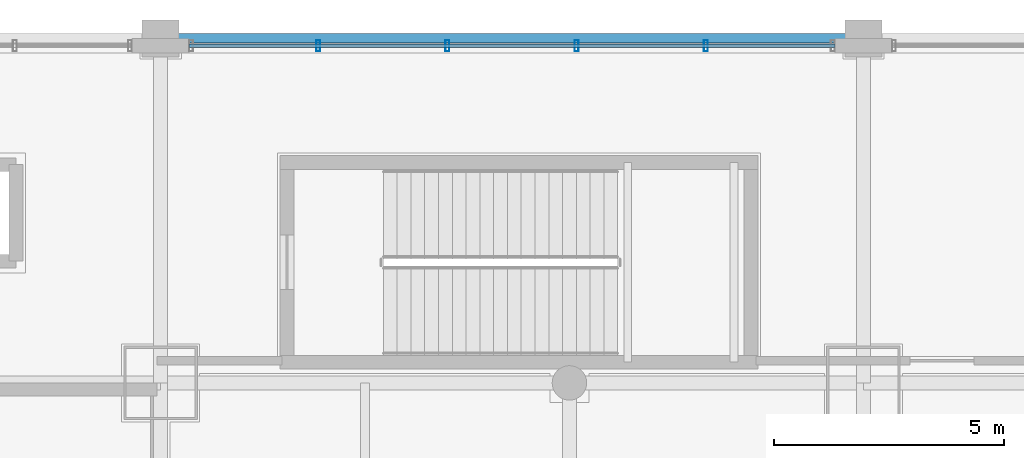
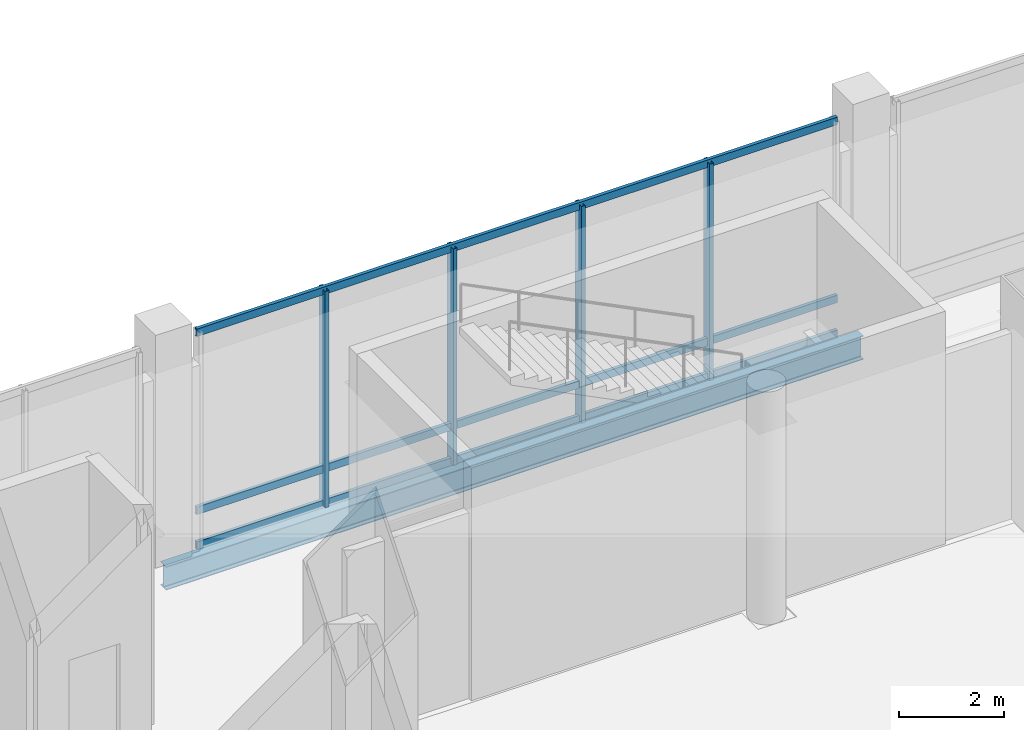
# One storey, part 11 of 35: 7 members, 1 beam, 1 element without a shape of its own.
"""IFC4 building model written with IfcOpenShell, lengths in metres."""

from ifc_helpers import new_model, si_unit, direction, frame, origin, origin_2d, place, context, subcontext, project, spatial, hollow_rectangle, i_section, extrude, material, material_profile, profile_set, type_object, element, aggregate, save


model = new_model("IFC4")

# Units and contexts
model_context = context("Model", 3, precision=1e-05, world=origin(), true_north=direction((0.0, 1.0)))
body_context = subcontext(model_context, "Body", "Model", "MODEL_VIEW")
ifc_project = project(units=[si_unit("LENGTHUNIT", "METRE"), si_unit("AREAUNIT", "SQUARE_METRE"), si_unit("VOLUMEUNIT", "CUBIC_METRE"), si_unit("PLANEANGLEUNIT", "RADIAN"), si_unit("MASSUNIT", "GRAM", prefix="KILO")], contexts=[model_context])

# Site, building, storey
site_placement = place(None, origin())
site = spatial("IfcSite", under=ifc_project, at=site_placement, CompositionType="ELEMENT")
building_placement = place(site_placement, origin())
building = spatial("IfcBuilding", under=site, at=building_placement, Name="Punatoya Terracotta Tower", CompositionType="ELEMENT")
storey_placement = place(building_placement, frame((0.0, 0.0, 16.800048828125)))
storey = spatial("IfcBuildingStorey", under=building, at=storey_placement, Name="L03", CompositionType="ELEMENT", Elevation=16.800048828125)

# Beam
ifc_material_1 = material(Name="Steel S355", Category="steel")
ifc_material_profile_1 = material_profile(ifc_material_1, i_section(OverallWidth=0.2099609375, OverallDepth=0.550048828125, WebThickness=0.010986328125, FlangeThickness=0.01708984375, FilletRadius=0.01806640625, at=origin_2d()))
ifc_profile_set_1 = profile_set([ifc_material_profile_1], Name="Steel S355")
beam_type = type_object("IfcBeamType", Name="BM-SPN-550", PredefinedType="SPANDREL", material=ifc_profile_set_1)
beam_placement = place(storey_placement, frame((-19.10009765625, 25.0, -0.554931640625), z_axis=(1.0, 0.0, 0.0), x_axis=(0.0, 1.0, 0.0)))
element("IfcBeam", 1, at=beam_placement, inside=storey, type_object=beam_type, Name="BM-L03-MIDH-1", PredefinedType="SPANDREL", context=body_context, shape_type="SweptSolid", body=[
    extrude(i_section(OverallWidth=0.2099609375, OverallDepth=0.550048828125, WebThickness=0.010986328125, FlangeThickness=0.01708984375, FilletRadius=0.01806640625, at=origin_2d()), origin(), (0.0, 0.0, 1.0), 15.300048828125),
])

# Curtain wall, members
ifc_material_2 = material(Name="Aluminium 6063-T6 + Double Low-E Glass", Category="aluminium")
curtain_wall_type = type_object("IfcCurtainWallType", Name="CW-POD", PredefinedType="NOTDEFINED", material=ifc_material_2)
curtain_wall_placement = place(storey_placement, origin())
curtain_wall = element("IfcCurtainWall", 2, at=curtain_wall_placement, inside=storey, type_object=curtain_wall_type, Name="L03 Curtain Wall CWP-L03-N3", PredefinedType="NOTDEFINED")
ifc_material_3 = material(Name="Aluminium 6063-T6", Category="aluminium")
ifc_material_profile_2 = material_profile(ifc_material_3, hollow_rectangle(XDim=0.0849609375, YDim=0.239990234375, WallThickness=0.0048828125, at=origin_2d()))
ifc_profile_set_2 = profile_set([ifc_material_profile_2], Name="Aluminium 6063-T6")
member_type_1 = type_object("IfcMemberType", Name="CW-MUL-POD", PredefinedType="MULLION", material=ifc_profile_set_2)
member_1_placement = place(storey_placement, frame((-7.23193359375, 24.840087890625, 0.0), z_axis=(0.0, 0.0, 1.0), x_axis=(1.0, 0.0, 0.0)))
member_1 = element("IfcMember", 3, at=member_1_placement, type_object=member_type_1, Name="CWP-L03-N3 Mullion 01", PredefinedType="MULLION", context=body_context, shape_type="SweptSolid", body=[
    extrude(hollow_rectangle(XDim=0.0849609375, YDim=0.239990234375, WallThickness=0.0048828125, at=origin_2d()), origin(), (0.0, 0.0, 1.0), 5.02001953125),
])
member_2_placement = place(storey_placement, frame((-10.0439453125, 24.840087890625, 0.0), z_axis=(0.0, 0.0, 1.0), x_axis=(1.0, 0.0, 0.0)))
member_2 = element("IfcMember", 4, at=member_2_placement, type_object=member_type_1, Name="CWP-L03-N3 Mullion 02", PredefinedType="MULLION", context=body_context, shape_type="SweptSolid", body=[
    extrude(hollow_rectangle(XDim=0.0849609375, YDim=0.239990234375, WallThickness=0.0048828125, at=origin_2d()), origin(), (0.0, 0.0, 1.0), 5.02001953125),
])
member_3_placement = place(storey_placement, frame((-12.85595703125, 24.840087890625, 0.0), z_axis=(0.0, 0.0, 1.0), x_axis=(1.0, 0.0, 0.0)))
member_3 = element("IfcMember", 5, at=member_3_placement, type_object=member_type_1, Name="CWP-L03-N3 Mullion 03", PredefinedType="MULLION", context=body_context, shape_type="SweptSolid", body=[
    extrude(hollow_rectangle(XDim=0.0849609375, YDim=0.239990234375, WallThickness=0.0048828125, at=origin_2d()), origin(), (0.0, 0.0, 1.0), 5.02001953125),
])
member_4_placement = place(storey_placement, frame((-15.66796875, 24.840087890625, 0.0), z_axis=(0.0, 0.0, 1.0), x_axis=(1.0, 0.0, 0.0)))
member_4 = element("IfcMember", 6, at=member_4_placement, type_object=member_type_1, Name="CWP-L03-N3 Mullion 04", PredefinedType="MULLION", context=body_context, shape_type="SweptSolid", body=[
    extrude(hollow_rectangle(XDim=0.0849609375, YDim=0.239990234375, WallThickness=0.0048828125, at=origin_2d()), origin(), (0.0, 0.0, 1.0), 5.02001953125),
])
ifc_material_profile_3 = material_profile(ifc_material_3, hollow_rectangle(XDim=0.074951171875, YDim=0.175048828125, WallThickness=0.00439453125, at=origin_2d()))
ifc_profile_set_3 = profile_set([ifc_material_profile_3], Name="Aluminium 6063-T6")
member_type_2 = type_object("IfcMemberType", Name="CW-TRN-POD", PredefinedType="USERDEFINED", material=ifc_profile_set_3)
member_5_placement = place(storey_placement, frame((-4.419921875, 24.840087890625, 0.0400390625), z_axis=(-1.0, 0.0, 0.0), x_axis=(0.0, -1.0, 0.0)))
member_5 = element("IfcMember", 7, at=member_5_placement, type_object=member_type_2, Name="CWP-L03-N3 Transom 1", ObjectType="TRANSOM", PredefinedType="USERDEFINED", context=body_context, shape_type="SweptSolid", body=[
    extrude(hollow_rectangle(XDim=0.074951171875, YDim=0.175048828125, WallThickness=0.00439453125, at=origin_2d()), origin(), (0.0, 0.0, 1.0), 14.06005859375),
])
member_6_placement = place(storey_placement, frame((-4.419921875, 24.840087890625, 0.849853515625), z_axis=(-1.0, 0.0, 0.0), x_axis=(0.0, -1.0, 0.0)))
member_6 = element("IfcMember", 8, at=member_6_placement, type_object=member_type_2, Name="CWP-L03-N3 Transom 2", ObjectType="TRANSOM", PredefinedType="USERDEFINED", context=body_context, shape_type="SweptSolid", body=[
    extrude(hollow_rectangle(XDim=0.074951171875, YDim=0.175048828125, WallThickness=0.00439453125, at=origin_2d()), origin(), (0.0, 0.0, 1.0), 14.06005859375),
])
member_7_placement = place(storey_placement, frame((-4.419921875, 24.840087890625, 4.97998046875), z_axis=(-1.0, 0.0, 0.0), x_axis=(0.0, -1.0, 0.0)))
member_7 = element("IfcMember", 9, at=member_7_placement, type_object=member_type_2, Name="CWP-L03-N3 Transom 3", ObjectType="TRANSOM", PredefinedType="USERDEFINED", context=body_context, shape_type="SweptSolid", body=[
    extrude(hollow_rectangle(XDim=0.074951171875, YDim=0.175048828125, WallThickness=0.00439453125, at=origin_2d()), origin(), (0.0, 0.0, 1.0), 14.06005859375),
])
aggregate(curtain_wall, [member_1, member_2, member_3, member_4, member_5, member_6, member_7])

save(model, "model.ifc")
